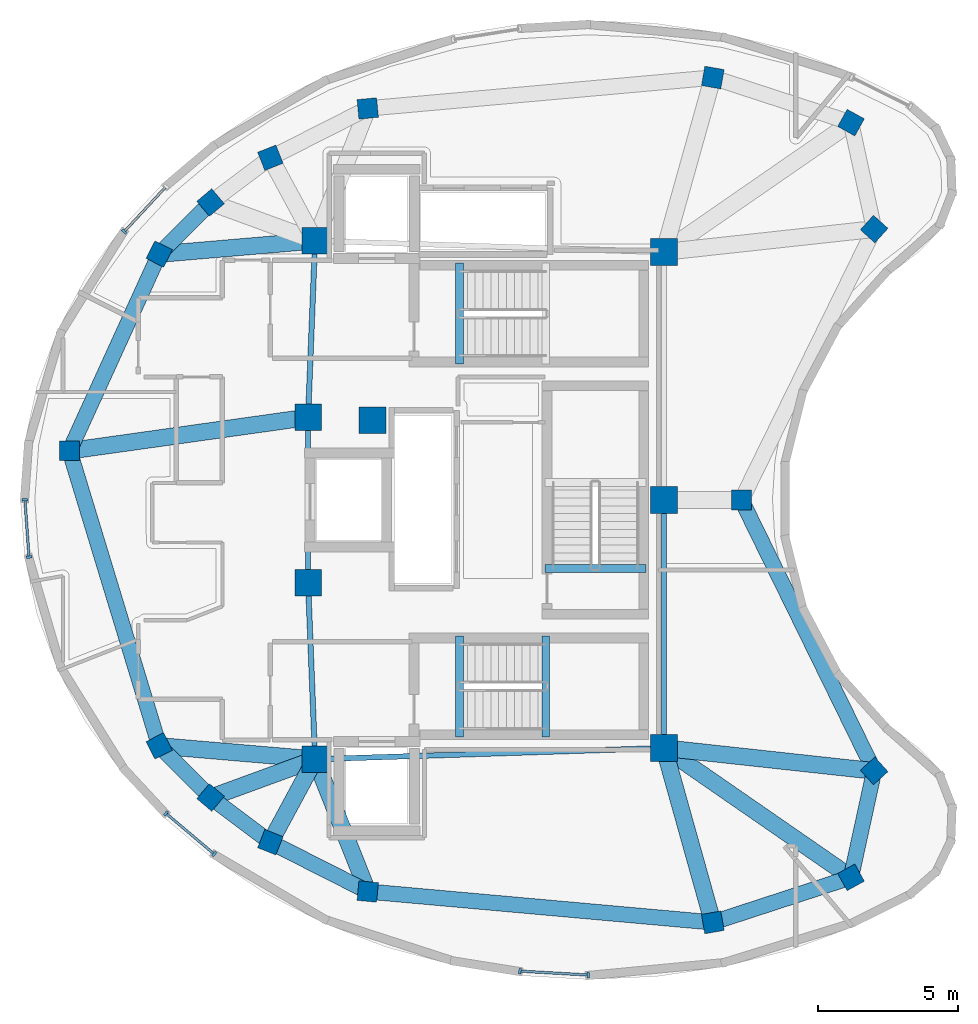
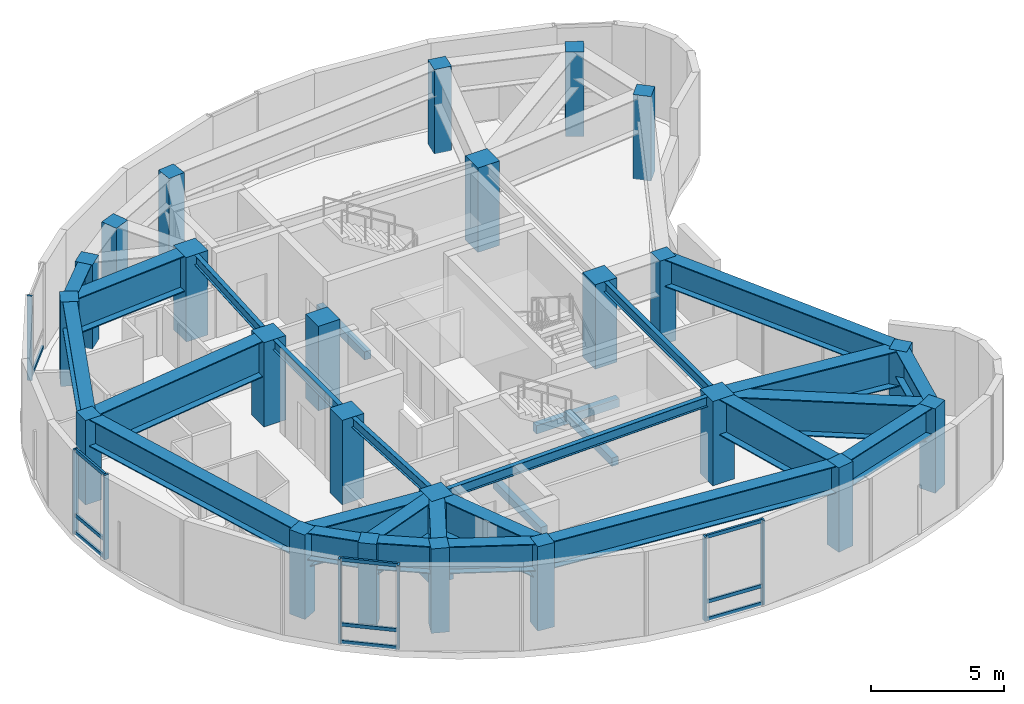
# One storey, part 1 of 8: 28 beams, 24 columns, 17 members, 4 elements without a shape of their own.
"""IFC4 building model written with IfcOpenShell, lengths in metres."""

from ifc_helpers import new_model, si_unit, direction, frame, origin, origin_2d, place, context, subcontext, project, spatial, rectangle, i_section, extrude, material, layer, layer_set, material_profile, profile_set, type_object, element, aggregate, save


model = new_model("IFC4")

# Units and contexts
model_context = context("Model", 3, precision=1e-05, world=origin(), true_north=direction((0.0, 1.0)))
body_context = subcontext(model_context, "Body", "Model", "MODEL_VIEW")
ifc_project = project(units=[si_unit("LENGTHUNIT", "METRE"), si_unit("AREAUNIT", "SQUARE_METRE"), si_unit("VOLUMEUNIT", "CUBIC_METRE"), si_unit("PLANEANGLEUNIT", "RADIAN"), si_unit("MASSUNIT", "GRAM", prefix="KILO")], contexts=[model_context])

# Site, building, storey
site_placement = place(None, origin())
site = spatial("IfcSite", under=ifc_project, at=site_placement, CompositionType="ELEMENT")
building_placement = place(site_placement, origin())
building = spatial("IfcBuilding", under=site, at=building_placement, Name="Korentha Bioscience Tower", CompositionType="ELEMENT")
storey_placement = place(building_placement, frame((0.0, 0.0, 331.199951171875)))
storey = spatial("IfcBuildingStorey", under=building, at=storey_placement, Name="L76", CompositionType="ELEMENT", Elevation=331.199951171875)

# Columns
ifc_material_1 = material(Name="Concrete C65", Category="concrete")
ifc_material_profile_1 = material_profile(ifc_material_1, rectangle(XDim=0.949951171875, YDim=0.949951171875, at=origin_2d()), Name="Concrete C65")
ifc_profile_set_1 = profile_set([ifc_material_profile_1], Name="Concrete C65 (COL-CP09)")
column_type_1 = type_object("IfcColumnType", Name="Core Pilaster Column RC 950x950", PredefinedType="PILASTER", material=ifc_profile_set_1)
for number, where, z_axis, x_axis, name in (
    (1, (37.550048828125, 35.85009765625, -0.00048828125), (0.0, 0.0, 1.0), (1.0, 0.0, 0.0), "L76 Core Pilaster CP-01"),
    (2, (25.10009765625, 36.25, -0.00048828125), (0.0, 0.0, 1.0), (1.0, 0.0, 0.0), "L76 Core Pilaster CP-02"),
    (3, (24.85009765625, 29.949951171875, -0.00048828125), (0.0, 0.0, 1.0), (1.0, 0.0, 0.0), "L76 Core Pilaster CP-03"),
    (4, (27.14990234375, 29.85009765625, -0.00048828125), (0.0, 0.0, 1.0), (1.0, 0.0, 0.0), "L76 Core Pilaster CP-04"),
    (5, (24.85009765625, 24.050048828125, -0.00048828125), (0.0, 0.0, 1.0), (1.0, 0.0, 0.0), "L76 Core Pilaster CP-05"),
    (6, (25.10009765625, 17.75, -0.00048828125), (0.0, 0.0, 1.0), (1.0, 0.0, 0.0), "L76 Core Pilaster CP-06"),
    (7, (37.550048828125, 18.14990234375, -0.00048828125), (0.0, 0.0, 1.0), (1.0, 0.0, 0.0), "L76 Core Pilaster CP-07"),
    (8, (37.550048828125, 27.0, -0.00048828125), (0.0, 0.0, 1.0), (1.0, 0.0, 0.0), "L76 Core Pilaster CP-08"),
):
    element("IfcColumn", number, at=place(storey_placement, frame(where, z_axis=z_axis, x_axis=x_axis)), inside=storey, type_object=column_type_1, Name=name, PredefinedType="PILASTER", context=body_context, shape_type="SweptSolid", body=[
        extrude(rectangle(XDim=0.949951171875, YDim=0.949951171875, at=origin_2d()), origin(), (0.0, 0.0, 1.0), 3.881103515625),
    ])
ifc_material_2 = material(Name="Concrete C50", Category="concrete")
ifc_material_profile_2 = material_profile(ifc_material_2, rectangle(XDim=0.699951171875, YDim=0.699951171875, at=origin_2d()), Name="Concrete C50")
ifc_profile_set_2 = profile_set([ifc_material_profile_2], Name="Concrete C50 (COL-P07)")
column_type_2 = type_object("IfcColumnType", Name="Perimeter Column RC 700x700", PredefinedType="COLUMN", material=ifc_profile_set_2)
for number, where, z_axis, x_axis, name in (
    (9, (44.222412109375, 40.464111328125, -0.00048828125), (0.0, 0.0, 1.0), (-0.874535078577, 0.484962262797, 0.0), "L76 Perimeter Column 01"),
    (10, (39.291259765625, 42.072998046875, -0.00048828125), (0.0, 0.0, 1.0), (-0.984868307662, 0.173304404339, 0.0), "L76 Perimeter Column 02"),
    (11, (26.979736328125, 40.970458984375, -0.00048828125), (0.0, 0.0, 1.0), (0.995462868748, 0.095150811579, 0.0), "L76 Perimeter Column 03"),
    (12, (23.504150390625, 39.210205078125, -0.00048828125), (0.0, 0.0, 1.0), (0.930225540858, 0.366988341962, 0.0), "L76 Perimeter Column 04"),
    (13, (21.371337890625, 37.6142578125, -0.00048828125), (0.0, 0.0, 1.0), (0.764246456939, 0.644924300253, 0.0), "L76 Perimeter Column 05"),
    (14, (19.539794921875, 35.77587890625, -0.00048828125), (0.0, 0.0, 1.0), (0.453057191132, 0.891481453292, 0.0), "L76 Perimeter Column 06"),
    (15, (16.337158203125, 28.755859375, -0.00048828125), (0.0, 0.0, 1.0), (0.0, 1.0, 0.0), "L76 Perimeter Column 07"),
    (16, (19.539794921875, 18.22412109375, -0.00048828125), (0.0, 0.0, 1.0), (-0.453057191132, 0.891481453292, 0.0), "L76 Perimeter Column 08"),
    (17, (21.371337890625, 16.3857421875, -0.00048828125), (0.0, 0.0, 1.0), (-0.764246456939, 0.644924300253, 0.0), "L76 Perimeter Column 09"),
    (18, (23.504150390625, 14.789794921875, -0.00048828125), (0.0, 0.0, 1.0), (-0.930225540858, 0.366988341962, 0.0), "L76 Perimeter Column 10"),
    (19, (26.979736328125, 13.029541015625, -0.00048828125), (0.0, 0.0, 1.0), (-0.995462868748, 0.095150811579, 0.0), "L76 Perimeter Column 11"),
    (20, (39.291259765625, 11.927001953125, -0.00048828125), (0.0, 0.0, 1.0), (0.984868307662, 0.173304404339, 0.0), "L76 Perimeter Column 12"),
    (21, (44.222412109375, 13.535888671875, -0.00048828125), (0.0, 0.0, 1.0), (0.874535078577, 0.484962262797, 0.0), "L76 Perimeter Column 13"),
    (22, (45.048583984375, 17.3330078125, -0.00048828125), (0.0, 0.0, 1.0), (-0.669130606359, 0.743144825477, 0.0), "L76 Perimeter Column 14"),
    (23, (40.313232421875, 27.0, -0.00048828125), (0.0, 0.0, 1.0), (0.0, 1.0, 0.0), "L76 Perimeter Column 15"),
    (24, (45.048583984375, 36.6669921875, -0.00048828125), (0.0, 0.0, 1.0), (0.669130606359, 0.743144825477, 0.0), "L76 Perimeter Column 16"),
):
    element("IfcColumn", number, at=place(storey_placement, frame(where, z_axis=z_axis, x_axis=x_axis)), inside=storey, type_object=column_type_2, Name=name, PredefinedType="COLUMN", context=body_context, shape_type="SweptSolid", body=[
        extrude(rectangle(XDim=0.699951171875, YDim=0.699951171875, at=origin_2d()), origin(), (0.0, 0.0, 1.0), 3.881103515625),
    ])

# Beams
ifc_material_profile_3 = material_profile(ifc_material_2, rectangle(XDim=0.280029296875, YDim=0.3798828125, at=origin_2d()), Name="Concrete C50")
ifc_profile_set_3 = profile_set([ifc_material_profile_3], Name="Concrete C50 (ST-HB380)")
beam_type_1 = type_object("IfcBeamType", Name="Concrete Stair Header Beam RC 280x380", PredefinedType="BEAM", material=ifc_profile_set_3)
for number, where, z_axis, x_axis, name in (
    (25, (30.25, 31.85009765625, -0.18994140625), (0.0, 1.0, 0.0), (-1.0, 0.0, 0.0), "L76 ST-1 Concrete Stair Header Beam"),
    (26, (30.25, 18.550048828125, -0.18994140625), (0.0, 1.0, 0.0), (-1.0, 0.0, 0.0), "L76 ST-2 Concrete Stair Header Beam"),
    (27, (33.330078125, 18.550048828125, 1.91015625), (0.0, 1.0, 0.0), (-1.0, 0.0, 0.0), "L76 ST-2 Half-Landing Header Beam 1"),
    (28, (36.89990234375, 24.550048828125, -0.18994140625), (-1.0, 0.0, 0.0), (0.0, -1.0, 0.0), "L76 ST-3 Concrete Stair Header Beam"),
):
    element("IfcBeam", number, at=place(storey_placement, frame(where, z_axis=z_axis, x_axis=x_axis)), inside=storey, type_object=beam_type_1, Name=name, PredefinedType="BEAM", context=body_context, shape_type="SweptSolid", body=[
        extrude(rectangle(XDim=0.280029296875, YDim=0.3798828125, at=origin_2d()), origin(), (0.0, 0.0, 1.0), 3.599853515625),
    ])
ifc_material_3 = material(Name="Steel S355", Category="steel")
ifc_material_profile_4 = material_profile(ifc_material_3, i_section(OverallWidth=0.550048828125, OverallDepth=1.25, WebThickness=0.02392578125, FlangeThickness=0.0400390625, at=origin_2d()), Name="Steel S355")
ifc_profile_set_4 = profile_set([ifc_material_profile_4], Name="Steel S355 (TG-03)")
beam_type_2 = type_object("IfcBeamType", Name="Crown Step Transfer Girder CVS 1250x510", PredefinedType="USERDEFINED", material=ifc_profile_set_4)
beam_1_placement = place(storey_placement, frame((21.371337890625, 37.6142578125, 3.255126953125), z_axis=(-0.705788433981, -0.708422675003, 0.0), x_axis=(0.708422675003, -0.705788433981, 0.0)))
element("IfcBeam", 29, at=beam_1_placement, inside=storey, type_object=beam_type_2, Name="L76 Perimeter Spandrel Girder 05", ObjectType="TRANSFER_GIRDER", PredefinedType="USERDEFINED", context=body_context, shape_type="SweptSolid", body=[
    extrude(i_section(OverallWidth=0.550048828125, OverallDepth=1.25, WebThickness=0.02392578125, FlangeThickness=0.0400390625, at=origin_2d()), origin(), (0.0, 0.0, 1.0), 2.594970703125),
])
beam_2_placement = place(storey_placement, frame((19.539794921875, 35.77587890625, 3.255126953125), z_axis=(-0.41506123739, -0.909793476134, 0.0), x_axis=(0.909793476134, -0.41506123739, 0.0)))
element("IfcBeam", 30, at=beam_2_placement, inside=storey, type_object=beam_type_2, Name="L76 Perimeter Spandrel Girder 06", ObjectType="TRANSFER_GIRDER", PredefinedType="USERDEFINED", context=body_context, shape_type="SweptSolid", body=[
    extrude(i_section(OverallWidth=0.550048828125, OverallDepth=1.25, WebThickness=0.02392578125, FlangeThickness=0.0400390625, at=origin_2d()), origin(), (0.0, 0.0, 1.0), 7.716064453125),
])
beam_3_placement = place(storey_placement, frame((16.337158203125, 28.755859375, 3.255126953125), z_axis=(0.29093920772, -0.956741541594, 0.0), x_axis=(0.956741541594, 0.29093920772, 0.0)))
element("IfcBeam", 31, at=beam_3_placement, inside=storey, type_object=beam_type_2, Name="L76 Perimeter Spandrel Girder 07", ObjectType="TRANSFER_GIRDER", PredefinedType="USERDEFINED", context=body_context, shape_type="SweptSolid", body=[
    extrude(i_section(OverallWidth=0.550048828125, OverallDepth=1.25, WebThickness=0.02392578125, FlangeThickness=0.0400390625, at=origin_2d()), origin(), (0.0, 0.0, 1.0), 11.0078125),
])
beam_4_placement = place(storey_placement, frame((19.539794921875, 18.22412109375, 3.255126953125), z_axis=(0.705788433981, -0.708422675003, 0.0), x_axis=(0.708422675003, 0.705788433981, 0.0)))
element("IfcBeam", 32, at=beam_4_placement, inside=storey, type_object=beam_type_2, Name="L76 Perimeter Spandrel Girder 08", ObjectType="TRANSFER_GIRDER", PredefinedType="USERDEFINED", context=body_context, shape_type="SweptSolid", body=[
    extrude(i_section(OverallWidth=0.550048828125, OverallDepth=1.25, WebThickness=0.02392578125, FlangeThickness=0.0400390625, at=origin_2d()), origin(), (0.0, 0.0, 1.0), 2.594970703125),
])
beam_5_placement = place(storey_placement, frame((21.371337890625, 16.3857421875, 3.255126953125), z_axis=(0.800659400291, -0.599119791633, 0.0), x_axis=(0.599119791633, 0.800659400291, 0.0)))
element("IfcBeam", 33, at=beam_5_placement, inside=storey, type_object=beam_type_2, Name="L76 Perimeter Spandrel Girder 09", ObjectType="TRANSFER_GIRDER", PredefinedType="USERDEFINED", context=body_context, shape_type="SweptSolid", body=[
    extrude(i_section(OverallWidth=0.550048828125, OverallDepth=1.25, WebThickness=0.02392578125, FlangeThickness=0.0400390625, at=origin_2d()), origin(), (0.0, 0.0, 1.0), 2.663818359375),
])
beam_6_placement = place(storey_placement, frame((23.504150390625, 14.789794921875, 3.255126953125), z_axis=(0.892109200785, -0.451819846703, 0.0), x_axis=(0.451819846703, 0.892109200785, 0.0)))
element("IfcBeam", 34, at=beam_6_placement, inside=storey, type_object=beam_type_2, Name="L76 Perimeter Spandrel Girder 10", ObjectType="TRANSFER_GIRDER", PredefinedType="USERDEFINED", context=body_context, shape_type="SweptSolid", body=[
    extrude(i_section(OverallWidth=0.550048828125, OverallDepth=1.25, WebThickness=0.02392578125, FlangeThickness=0.0400390625, at=origin_2d()), origin(), (0.0, 0.0, 1.0), 3.89599609375),
])
beam_7_placement = place(storey_placement, frame((26.979736328125, 13.029541015625, 3.255126953125), z_axis=(0.996014051213, -0.089196467345, 0.0), x_axis=(0.089196467345, 0.996014051213, 0.0)))
element("IfcBeam", 35, at=beam_7_placement, inside=storey, type_object=beam_type_2, Name="L76 Perimeter Spandrel Girder 11", ObjectType="TRANSFER_GIRDER", PredefinedType="USERDEFINED", context=body_context, shape_type="SweptSolid", body=[
    extrude(i_section(OverallWidth=0.550048828125, OverallDepth=1.25, WebThickness=0.02392578125, FlangeThickness=0.0400390625, at=origin_2d()), origin(), (0.0, 0.0, 1.0), 12.36083984375),
])
beam_8_placement = place(storey_placement, frame((39.291259765625, 11.927001953125, 3.255126953125), z_axis=(0.950678556389, 0.310177823874, 0.0), x_axis=(-0.310177823874, 0.950678556389, 0.0)))
element("IfcBeam", 36, at=beam_8_placement, inside=storey, type_object=beam_type_2, Name="L76 Perimeter Spandrel Girder 12", ObjectType="TRANSFER_GIRDER", PredefinedType="USERDEFINED", context=body_context, shape_type="SweptSolid", body=[
    extrude(i_section(OverallWidth=0.550048828125, OverallDepth=1.25, WebThickness=0.02392578125, FlangeThickness=0.0400390625, at=origin_2d()), origin(), (0.0, 0.0, 1.0), 5.18701171875),
])
beam_9_placement = place(storey_placement, frame((44.222412109375, 13.535888671875, 3.255126953125), z_axis=(0.212604398008, 0.977138357628, 0.0), x_axis=(-0.977138357628, 0.212604398008, 0.0)))
element("IfcBeam", 37, at=beam_9_placement, inside=storey, type_object=beam_type_2, Name="L76 Perimeter Spandrel Girder 13", ObjectType="TRANSFER_GIRDER", PredefinedType="USERDEFINED", context=body_context, shape_type="SweptSolid", body=[
    extrude(i_section(OverallWidth=0.550048828125, OverallDepth=1.25, WebThickness=0.02392578125, FlangeThickness=0.0400390625, at=origin_2d()), origin(), (0.0, 0.0, 1.0), 3.885986328125),
])
beam_10_placement = place(storey_placement, frame((45.048583984375, 17.3330078125, 3.255126953125), z_axis=(-0.439904778925, 0.898044422887, 0.0), x_axis=(-0.898044422887, -0.439904778925, 0.0)))
element("IfcBeam", 38, at=beam_10_placement, inside=storey, type_object=beam_type_2, Name="L76 Perimeter Spandrel Girder 14", ObjectType="TRANSFER_GIRDER", PredefinedType="USERDEFINED", context=body_context, shape_type="SweptSolid", body=[
    extrude(i_section(OverallWidth=0.550048828125, OverallDepth=1.25, WebThickness=0.02392578125, FlangeThickness=0.0400390625, at=origin_2d()), origin(), (0.0, 0.0, 1.0), 10.764404296875),
])
ifc_material_profile_5 = material_profile(ifc_material_3, i_section(OverallWidth=0.60009765625, OverallDepth=1.64990234375, WebThickness=0.02587890625, FlangeThickness=0.0439453125, at=origin_2d()), Name="Steel S355")
ifc_profile_set_5 = profile_set([ifc_material_profile_5], Name="Steel S355 (TG-04)")
beam_type_3 = type_object("IfcBeamType", Name="Deep Setback Transfer Girder CVS 1650x620", PredefinedType="USERDEFINED", material=ifc_profile_set_5)
beam_11_placement = place(storey_placement, frame((25.10009765625, 36.25, 3.054931640625), z_axis=(-0.996384309139, -0.084960629126, 0.0), x_axis=(0.084960629126, -0.996384309139, 0.0)))
element("IfcBeam", 39, at=beam_11_placement, inside=storey, type_object=beam_type_3, Name="L76 Radial Transfer Girder 06", ObjectType="TRANSFER_GIRDER", PredefinedType="USERDEFINED", context=body_context, shape_type="SweptSolid", body=[
    extrude(i_section(OverallWidth=0.60009765625, OverallDepth=1.64990234375, WebThickness=0.02587890625, FlangeThickness=0.0439453125, at=origin_2d()), origin(), (0.0, 0.0, 1.0), 5.58056640625),
])
beam_12_placement = place(storey_placement, frame((24.85009765625, 29.949951171875, 3.054931640625), z_axis=(-0.990305289587, -0.138908003423, 0.0), x_axis=(0.138908003423, -0.990305289587, 0.0)))
element("IfcBeam", 40, at=beam_12_placement, inside=storey, type_object=beam_type_3, Name="L76 Radial Transfer Girder 07", ObjectType="TRANSFER_GIRDER", PredefinedType="USERDEFINED", context=body_context, shape_type="SweptSolid", body=[
    extrude(i_section(OverallWidth=0.60009765625, OverallDepth=1.64990234375, WebThickness=0.02587890625, FlangeThickness=0.0439453125, at=origin_2d()), origin(), (0.0, 0.0, 1.0), 8.59619140625),
])
beam_13_placement = place(storey_placement, frame((25.10009765625, 17.75, 3.054931640625), z_axis=(-0.996384309139, 0.084960629126, 0.0), x_axis=(-0.084960629126, -0.996384309139, 0.0)))
element("IfcBeam", 41, at=beam_13_placement, inside=storey, type_object=beam_type_3, Name="L76 Radial Transfer Girder 08", ObjectType="TRANSFER_GIRDER", PredefinedType="USERDEFINED", context=body_context, shape_type="SweptSolid", body=[
    extrude(i_section(OverallWidth=0.60009765625, OverallDepth=1.64990234375, WebThickness=0.02587890625, FlangeThickness=0.0439453125, at=origin_2d()), origin(), (0.0, 0.0, 1.0), 5.58056640625),
])
beam_14_placement = place(storey_placement, frame((25.10009765625, 17.75, 3.054931640625), z_axis=(-0.939116561149, -0.343598726098, 0.0), x_axis=(0.343598726098, -0.939116561149, 0.0)))
element("IfcBeam", 42, at=beam_14_placement, inside=storey, type_object=beam_type_3, Name="L76 Radial Transfer Girder 09", ObjectType="TRANSFER_GIRDER", PredefinedType="USERDEFINED", context=body_context, shape_type="SweptSolid", body=[
    extrude(i_section(OverallWidth=0.60009765625, OverallDepth=1.64990234375, WebThickness=0.02587890625, FlangeThickness=0.0439453125, at=origin_2d()), origin(), (0.0, 0.0, 1.0), 3.970458984375),
])
beam_15_placement = place(storey_placement, frame((25.10009765625, 17.75, 3.054931640625), z_axis=(-0.474558643926, -0.880223888267, 0.0), x_axis=(0.880223888267, -0.474558643926, 0.0)))
element("IfcBeam", 43, at=beam_15_placement, inside=storey, type_object=beam_type_3, Name="L76 Radial Transfer Girder 10", ObjectType="TRANSFER_GIRDER", PredefinedType="USERDEFINED", context=body_context, shape_type="SweptSolid", body=[
    extrude(i_section(OverallWidth=0.60009765625, OverallDepth=1.64990234375, WebThickness=0.02587890625, FlangeThickness=0.0439453125, at=origin_2d()), origin(), (0.0, 0.0, 1.0), 3.363037109375),
])
beam_16_placement = place(storey_placement, frame((25.10009765625, 17.75, 3.054931640625), z_axis=(0.369940425484, -0.92905547821, 0.0), x_axis=(0.92905547821, 0.369940425484, 0.0)))
element("IfcBeam", 44, at=beam_16_placement, inside=storey, type_object=beam_type_3, Name="L76 Radial Transfer Girder 11", ObjectType="TRANSFER_GIRDER", PredefinedType="USERDEFINED", context=body_context, shape_type="SweptSolid", body=[
    extrude(i_section(OverallWidth=0.60009765625, OverallDepth=1.64990234375, WebThickness=0.02587890625, FlangeThickness=0.0439453125, at=origin_2d()), origin(), (0.0, 0.0, 1.0), 5.080810546875),
])
beam_17_placement = place(storey_placement, frame((37.550048828125, 18.14990234375, 3.054931640625), z_axis=(0.269457550183, -0.963012268172, 0.0), x_axis=(0.963012268172, 0.269457550183, 0.0)))
element("IfcBeam", 45, at=beam_17_placement, inside=storey, type_object=beam_type_3, Name="L76 Radial Transfer Girder 12", ObjectType="TRANSFER_GIRDER", PredefinedType="USERDEFINED", context=body_context, shape_type="SweptSolid", body=[
    extrude(i_section(OverallWidth=0.60009765625, OverallDepth=1.64990234375, WebThickness=0.02587890625, FlangeThickness=0.0439453125, at=origin_2d()), origin(), (0.0, 0.0, 1.0), 6.4619140625),
])
beam_18_placement = place(storey_placement, frame((37.550048828125, 18.14990234375, 3.054931640625), z_axis=(0.822498681093, -0.568767016977, 0.0), x_axis=(0.568767016977, 0.822498681093, 0.0)))
element("IfcBeam", 46, at=beam_18_placement, inside=storey, type_object=beam_type_3, Name="L76 Radial Transfer Girder 13", ObjectType="TRANSFER_GIRDER", PredefinedType="USERDEFINED", context=body_context, shape_type="SweptSolid", body=[
    extrude(i_section(OverallWidth=0.60009765625, OverallDepth=1.64990234375, WebThickness=0.02587890625, FlangeThickness=0.0439453125, at=origin_2d()), origin(), (0.0, 0.0, 1.0), 8.1123046875),
])
beam_19_placement = place(storey_placement, frame((37.550048828125, 18.14990234375, 3.054931640625), z_axis=(0.994118280373, -0.108299790523, 0.0), x_axis=(0.108299790523, 0.994118280373, 0.0)))
element("IfcBeam", 47, at=beam_19_placement, inside=storey, type_object=beam_type_3, Name="L76 Radial Transfer Girder 14", ObjectType="TRANSFER_GIRDER", PredefinedType="USERDEFINED", context=body_context, shape_type="SweptSolid", body=[
    extrude(i_section(OverallWidth=0.60009765625, OverallDepth=1.64990234375, WebThickness=0.02587890625, FlangeThickness=0.0439453125, at=origin_2d()), origin(), (0.0, 0.0, 1.0), 7.54296875),
])
ifc_material_profile_6 = material_profile(ifc_material_3, i_section(OverallWidth=0.18994140625, OverallDepth=0.45703125, WebThickness=0.009033203125, FlangeThickness=0.014404296875, at=origin_2d()), Name="Steel S355")
ifc_profile_set_6 = profile_set([ifc_material_profile_6], Name="Steel S355 (MB-460)")
beam_type_4 = type_object("IfcBeamType", Name="Mid-Ring Tie Girder W460x74", PredefinedType="BEAM", material=ifc_profile_set_6)
beam_20_placement = place(storey_placement, frame((25.10009765625, 36.25, 3.651611328125), z_axis=(-0.039651025576, -0.999213588864, 0.0), x_axis=(0.999213588864, -0.039651025576, 0.0)))
element("IfcBeam", 48, at=beam_20_placement, inside=storey, type_object=beam_type_4, Name="L76 Core Ring Tie Girder 02", PredefinedType="BEAM", context=body_context, shape_type="SweptSolid", body=[
    extrude(i_section(OverallWidth=0.18994140625, OverallDepth=0.45703125, WebThickness=0.009033203125, FlangeThickness=0.014404296875, at=origin_2d()), origin(), (0.0, 0.0, 1.0), 6.304931640625),
])
beam_21_placement = place(storey_placement, frame((24.85009765625, 29.949951171875, 3.651611328125), z_axis=(0.0, -1.0, 0.0), x_axis=(1.0, 0.0, 0.0)))
element("IfcBeam", 49, at=beam_21_placement, inside=storey, type_object=beam_type_4, Name="L76 Core Ring Tie Girder 03", PredefinedType="BEAM", context=body_context, shape_type="SweptSolid", body=[
    extrude(i_section(OverallWidth=0.18994140625, OverallDepth=0.45703125, WebThickness=0.009033203125, FlangeThickness=0.014404296875, at=origin_2d()), origin(), (0.0, 0.0, 1.0), 5.89990234375),
])
beam_22_placement = place(storey_placement, frame((24.85009765625, 24.050048828125, 3.651611328125), z_axis=(0.039651025576, -0.999213588864, 0.0), x_axis=(0.999213588864, 0.039651025576, 0.0)))
element("IfcBeam", 50, at=beam_22_placement, inside=storey, type_object=beam_type_4, Name="L76 Core Ring Tie Girder 04", PredefinedType="BEAM", context=body_context, shape_type="SweptSolid", body=[
    extrude(i_section(OverallWidth=0.18994140625, OverallDepth=0.45703125, WebThickness=0.009033203125, FlangeThickness=0.014404296875, at=origin_2d()), origin(), (0.0, 0.0, 1.0), 6.304931640625),
])
beam_23_placement = place(storey_placement, frame((25.10009765625, 17.75, 3.651611328125), z_axis=(0.999484526071, 0.032104238723, 0.0), x_axis=(-0.032104238723, 0.999484526071, 0.0)))
element("IfcBeam", 51, at=beam_23_placement, inside=storey, type_object=beam_type_4, Name="L76 Core Ring Tie Girder 05", PredefinedType="BEAM", context=body_context, shape_type="SweptSolid", body=[
    extrude(i_section(OverallWidth=0.18994140625, OverallDepth=0.45703125, WebThickness=0.009033203125, FlangeThickness=0.014404296875, at=origin_2d()), origin(), (0.0, 0.0, 1.0), 12.456298828125),
])
beam_24_placement = place(storey_placement, frame((37.550048828125, 18.14990234375, 3.651611328125), z_axis=(0.0, 1.0, 0.0), x_axis=(-1.0, 0.0, 0.0)))
element("IfcBeam", 52, at=beam_24_placement, inside=storey, type_object=beam_type_4, Name="L76 Core Ring Tie Girder 06", PredefinedType="BEAM", context=body_context, shape_type="SweptSolid", body=[
    extrude(i_section(OverallWidth=0.18994140625, OverallDepth=0.45703125, WebThickness=0.009033203125, FlangeThickness=0.014404296875, at=origin_2d()), origin(), (0.0, 0.0, 1.0), 8.85009765625),
])

# Curtain wall, member
ifc_material_4 = material(Name="Structural Silicone Glazed Aluminium", Category="aluminium")
ifc_layer = layer(ifc_material_4, 0.219970703125, Name="Structural Silicone Glazed Aluminium")
ifc_layer_set = layer_set([ifc_layer], Name="Structural Silicone Glazed Aluminium (CW-O1)")
curtain_wall_type = type_object("IfcCurtainWallType", Name="Sky Observatory Acoustic Curtain Wall CW-O1", PredefinedType="USERDEFINED", material=ifc_layer_set)
curtain_wall_1_placement = place(storey_placement, origin())
curtain_wall_1 = element("IfcCurtainWall", 53, at=curtain_wall_1_placement, inside=storey, type_object=curtain_wall_type, Name="L76 Curtain Wall 13", ObjectType="UNITISED", PredefinedType="USERDEFINED")
ifc_material_5 = material(Name="Anodised Aluminium 6063-T6", Category="aluminium")
ifc_material_profile_7 = material_profile(ifc_material_5, rectangle(XDim=0.090087890625, YDim=0.199951171875, at=origin_2d()), Name="Anodised Aluminium 6063-T6")
ifc_profile_set_7 = profile_set([ifc_material_profile_7], Name="Anodised Aluminium 6063-T6 (CW-MUL)")
member_type_1 = type_object("IfcMemberType", Name="Mullion RECT 90x200", PredefinedType="MULLION", material=ifc_profile_set_7)
member_1_placement = place(storey_placement, frame((18.286865234375, 36.572265625, 0.0), z_axis=(0.0, 0.0, 1.0), x_axis=(-0.680400939079, -0.73284006584, 0.0)))
member_1 = element("IfcMember", 54, at=member_1_placement, type_object=member_type_1, Name="CW-L76-13 Mullion 2", PredefinedType="MULLION", context=body_context, shape_type="SweptSolid", body=[
    extrude(rectangle(XDim=0.090087890625, YDim=0.199951171875, at=origin_2d()), origin(), (0.0, 0.0, 1.0), 3.880126953125),
])

# Curtain wall, members
curtain_wall_2_placement = place(storey_placement, origin())
curtain_wall_2 = element("IfcCurtainWall", 55, at=curtain_wall_2_placement, inside=storey, type_object=curtain_wall_type, Name="L76 Curtain Wall 19", ObjectType="UNITISED", PredefinedType="USERDEFINED")
member_2_placement = place(storey_placement, frame((14.74658203125, 27.006591796875, 0.0), z_axis=(0.0, 0.0, 1.0), x_axis=(0.071672608822, -0.997428211524, 0.0)))
member_2 = element("IfcMember", 56, at=member_2_placement, type_object=member_type_1, Name="CW-L76-19 Mullion 1", PredefinedType="MULLION", context=body_context, shape_type="SweptSolid", body=[
    extrude(rectangle(XDim=0.090087890625, YDim=0.199951171875, at=origin_2d()), origin(), (0.0, 0.0, 1.0), 3.880126953125),
])
member_3_placement = place(storey_placement, frame((14.8935546875, 24.96435546875, 0.0), z_axis=(0.0, 0.0, 1.0), x_axis=(0.071672608822, -0.997428211524, 0.0)))
member_3 = element("IfcMember", 57, at=member_3_placement, type_object=member_type_1, Name="CW-L76-19 Mullion 2", PredefinedType="MULLION", context=body_context, shape_type="SweptSolid", body=[
    extrude(rectangle(XDim=0.090087890625, YDim=0.199951171875, at=origin_2d()), origin(), (0.0, 0.0, 1.0), 3.880126953125),
])

curtain_wall_3_placement = place(storey_placement, origin())
curtain_wall_3 = element("IfcCurtainWall", 58, at=curtain_wall_3_placement, inside=storey, type_object=curtain_wall_type, Name="L76 Curtain Wall 25", ObjectType="UNITISED", PredefinedType="USERDEFINED")
member_4_placement = place(storey_placement, frame((19.77978515625, 15.81884765625, 0.0), z_axis=(0.0, 0.0, 1.0), x_axis=(0.763986879488, -0.645231778488, 0.0)))
member_4 = element("IfcMember", 59, at=member_4_placement, type_object=member_type_1, Name="CW-L76-25 Mullion 1", PredefinedType="MULLION", context=body_context, shape_type="SweptSolid", body=[
    extrude(rectangle(XDim=0.090087890625, YDim=0.199951171875, at=origin_2d()), origin(), (0.0, 0.0, 1.0), 3.880126953125),
])
member_5_placement = place(storey_placement, frame((21.5, 14.365966796875, 0.0), z_axis=(0.0, 0.0, 1.0), x_axis=(0.763986879488, -0.645231778488, 0.0)))
member_5 = element("IfcMember", 60, at=member_5_placement, type_object=member_type_1, Name="CW-L76-25 Mullion 2", PredefinedType="MULLION", context=body_context, shape_type="SweptSolid", body=[
    extrude(rectangle(XDim=0.090087890625, YDim=0.199951171875, at=origin_2d()), origin(), (0.0, 0.0, 1.0), 3.880126953125),
])

curtain_wall_4_placement = place(storey_placement, origin())
curtain_wall_4 = element("IfcCurtainWall", 61, at=curtain_wall_4_placement, inside=storey, type_object=curtain_wall_type, Name="L76 Curtain Wall 31", ObjectType="UNITISED", PredefinedType="USERDEFINED")
member_6_placement = place(storey_placement, frame((32.41064453125, 10.189453125, 0.0), z_axis=(0.0, 0.0, 1.0), x_axis=(0.998378462362, -0.056924914502, 0.0)))
member_6 = element("IfcMember", 62, at=member_6_placement, type_object=member_type_1, Name="CW-L76-31 Mullion 1", PredefinedType="MULLION", context=body_context, shape_type="SweptSolid", body=[
    extrude(rectangle(XDim=0.090087890625, YDim=0.199951171875, at=origin_2d()), origin(), (0.0, 0.0, 1.0), 3.880126953125),
])
member_7_placement = place(storey_placement, frame((34.84814453125, 10.050537109375, 0.0), z_axis=(0.0, 0.0, 1.0), x_axis=(0.998378462362, -0.056924914502, 0.0)))
member_7 = element("IfcMember", 63, at=member_7_placement, type_object=member_type_1, Name="CW-L76-31 Mullion 2", PredefinedType="MULLION", context=body_context, shape_type="SweptSolid", body=[
    extrude(rectangle(XDim=0.090087890625, YDim=0.199951171875, at=origin_2d()), origin(), (0.0, 0.0, 1.0), 3.880126953125),
])

# Member
ifc_material_profile_8 = material_profile(ifc_material_5, rectangle(XDim=0.090087890625, YDim=0.159912109375, at=origin_2d()), Name="Anodised Aluminium 6063-T6")
ifc_profile_set_8 = profile_set([ifc_material_profile_8], Name="Anodised Aluminium 6063-T6 (CW-TRN)")
member_type_2 = type_object("IfcMemberType", Name="Transom RECT 90x160", PredefinedType="USERDEFINED", material=ifc_profile_set_8)
member_8_placement = place(storey_placement, frame((19.756103515625, 38.154541015625, 0.045166015625), z_axis=(-0.680468815221, -0.732777040792, 0.0), x_axis=(0.732777040792, -0.680468815221, 0.0)))
member_8 = element("IfcMember", 64, at=member_8_placement, type_object=member_type_2, Name="CW-L76-13 Bay 1 Transom 1", ObjectType="TRANSOM", PredefinedType="USERDEFINED", context=body_context, shape_type="SweptSolid", body=[
    extrude(rectangle(XDim=0.090087890625, YDim=0.159912109375, at=origin_2d()), origin(), (0.0, 0.0, 1.0), 2.1142578125),
])

aggregate(curtain_wall_1, [member_1, member_8])

member_9_placement = place(storey_placement, frame((14.75, 26.961669921875, 0.045166015625), z_axis=(0.071592733042, -0.997433947976, 0.0), x_axis=(0.997433947976, 0.071592733042, 0.0)))
member_9 = element("IfcMember", 65, at=member_9_placement, type_object=member_type_2, Name="CW-L76-19 Bay 1 Transom 1", ObjectType="TRANSOM", PredefinedType="USERDEFINED", context=body_context, shape_type="SweptSolid", body=[
    extrude(rectangle(XDim=0.090087890625, YDim=0.159912109375, at=origin_2d()), origin(), (0.0, 0.0, 1.0), 1.95751953125),
])

member_10_placement = place(storey_placement, frame((14.75, 26.961669921875, 0.85009765625), z_axis=(0.071592733042, -0.997433947976, 0.0), x_axis=(0.997433947976, 0.071592733042, 0.0)))
member_10 = element("IfcMember", 66, at=member_10_placement, type_object=member_type_2, Name="CW-L76-19 Bay 1 Transom 2", ObjectType="TRANSOM", PredefinedType="USERDEFINED", context=body_context, shape_type="SweptSolid", body=[
    extrude(rectangle(XDim=0.090087890625, YDim=0.159912109375, at=origin_2d()), origin(), (0.0, 0.0, 1.0), 1.95751953125),
])

member_11_placement = place(storey_placement, frame((14.75, 26.961669921875, 3.8349609375), z_axis=(0.071592733042, -0.997433947976, 0.0), x_axis=(0.997433947976, 0.071592733042, 0.0)))
member_11 = element("IfcMember", 67, at=member_11_placement, type_object=member_type_2, Name="CW-L76-19 Bay 1 Transom 3", ObjectType="TRANSOM", PredefinedType="USERDEFINED", context=body_context, shape_type="SweptSolid", body=[
    extrude(rectangle(XDim=0.090087890625, YDim=0.159912109375, at=origin_2d()), origin(), (0.0, 0.0, 1.0), 1.95751953125),
])

aggregate(curtain_wall_2, [member_2, member_3, member_9, member_10, member_11])

member_12_placement = place(storey_placement, frame((19.814208984375, 15.789794921875, 0.045166015625), z_axis=(0.763964338961, -0.645258466659, 0.0), x_axis=(0.645258466659, 0.763964338961, 0.0)))
member_12 = element("IfcMember", 68, at=member_12_placement, type_object=member_type_2, Name="CW-L76-25 Bay 1 Transom 1", ObjectType="TRANSOM", PredefinedType="USERDEFINED", context=body_context, shape_type="SweptSolid", body=[
    extrude(rectangle(XDim=0.090087890625, YDim=0.159912109375, at=origin_2d()), origin(), (0.0, 0.0, 1.0), 2.16162109375),
])

member_13_placement = place(storey_placement, frame((19.814208984375, 15.789794921875, 0.85009765625), z_axis=(0.763964338961, -0.645258466659, 0.0), x_axis=(0.645258466659, 0.763964338961, 0.0)))
member_13 = element("IfcMember", 69, at=member_13_placement, type_object=member_type_2, Name="CW-L76-25 Bay 1 Transom 2", ObjectType="TRANSOM", PredefinedType="USERDEFINED", context=body_context, shape_type="SweptSolid", body=[
    extrude(rectangle(XDim=0.090087890625, YDim=0.159912109375, at=origin_2d()), origin(), (0.0, 0.0, 1.0), 2.16162109375),
])

member_14_placement = place(storey_placement, frame((19.814208984375, 15.789794921875, 3.8349609375), z_axis=(0.763964338961, -0.645258466659, 0.0), x_axis=(0.645258466659, 0.763964338961, 0.0)))
member_14 = element("IfcMember", 70, at=member_14_placement, type_object=member_type_2, Name="CW-L76-25 Bay 1 Transom 3", ObjectType="TRANSOM", PredefinedType="USERDEFINED", context=body_context, shape_type="SweptSolid", body=[
    extrude(rectangle(XDim=0.090087890625, YDim=0.159912109375, at=origin_2d()), origin(), (0.0, 0.0, 1.0), 2.16162109375),
])

aggregate(curtain_wall_3, [member_4, member_5, member_12, member_13, member_14])

member_15_placement = place(storey_placement, frame((32.45556640625, 10.18701171875, 0.045166015625), z_axis=(0.998373868061, -0.057005434588, 0.0), x_axis=(0.057005434588, 0.998373868061, 0.0)))
member_15 = element("IfcMember", 71, at=member_15_placement, type_object=member_type_2, Name="CW-L76-31 Bay 1 Transom 1", ObjectType="TRANSOM", PredefinedType="USERDEFINED", context=body_context, shape_type="SweptSolid", body=[
    extrude(rectangle(XDim=0.090087890625, YDim=0.159912109375, at=origin_2d()), origin(), (0.0, 0.0, 1.0), 2.351318359375),
])

member_16_placement = place(storey_placement, frame((32.45556640625, 10.18701171875, 0.85009765625), z_axis=(0.998373868061, -0.057005434588, 0.0), x_axis=(0.057005434588, 0.998373868061, 0.0)))
member_16 = element("IfcMember", 72, at=member_16_placement, type_object=member_type_2, Name="CW-L76-31 Bay 1 Transom 2", ObjectType="TRANSOM", PredefinedType="USERDEFINED", context=body_context, shape_type="SweptSolid", body=[
    extrude(rectangle(XDim=0.090087890625, YDim=0.159912109375, at=origin_2d()), origin(), (0.0, 0.0, 1.0), 2.351318359375),
])

member_17_placement = place(storey_placement, frame((32.45556640625, 10.18701171875, 3.8349609375), z_axis=(0.998373868061, -0.057005434588, 0.0), x_axis=(0.057005434588, 0.998373868061, 0.0)))
member_17 = element("IfcMember", 73, at=member_17_placement, type_object=member_type_2, Name="CW-L76-31 Bay 1 Transom 3", ObjectType="TRANSOM", PredefinedType="USERDEFINED", context=body_context, shape_type="SweptSolid", body=[
    extrude(rectangle(XDim=0.090087890625, YDim=0.159912109375, at=origin_2d()), origin(), (0.0, 0.0, 1.0), 2.351318359375),
])

aggregate(curtain_wall_4, [member_6, member_7, member_15, member_16, member_17])

save(model, "model.ifc")
